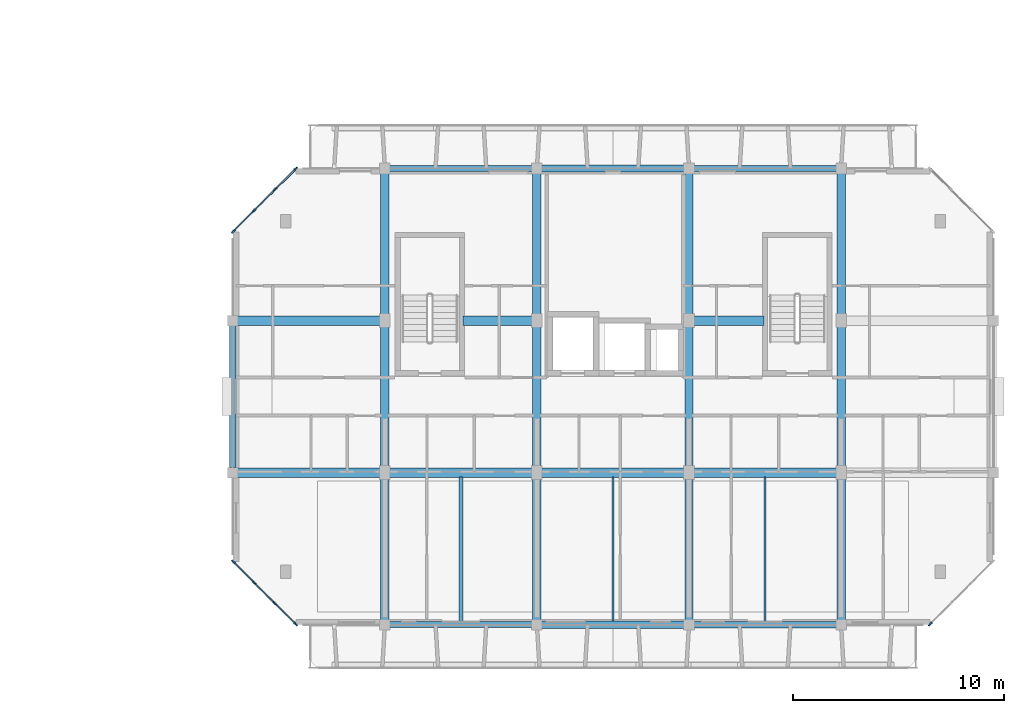
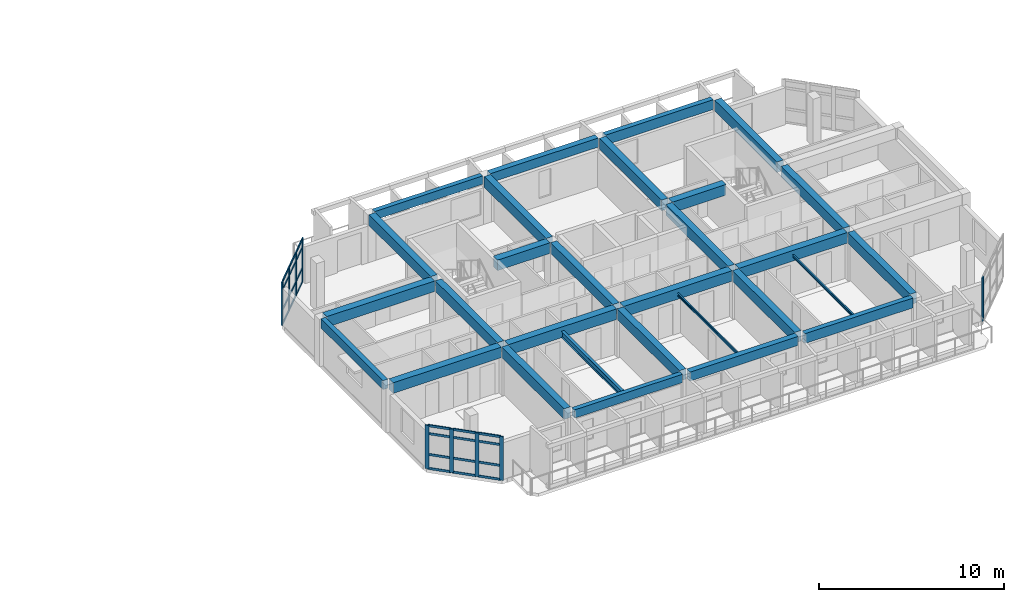
# One storey, part 7 of 44: 33 members, 29 beams, 3 elements without a shape of their own.
"""IFC4 building model written with IfcOpenShell, lengths in metres."""

from ifc_helpers import new_model, si_unit, direction, frame, origin, origin_2d, place, context, subcontext, project, spatial, rectangle, i_section, u_section, extrude, material, layer, layer_set, material_profile, profile_set, type_object, element, aggregate, save


model = new_model("IFC4")

# Units and contexts
model_context = context("Model", 3, precision=1e-05, world=origin(), true_north=direction((0.0, 1.0)))
body_context = subcontext(model_context, "Body", "Model", "MODEL_VIEW")
ifc_project = project(units=[si_unit("LENGTHUNIT", "METRE"), si_unit("AREAUNIT", "SQUARE_METRE"), si_unit("VOLUMEUNIT", "CUBIC_METRE"), si_unit("PLANEANGLEUNIT", "RADIAN"), si_unit("MASSUNIT", "GRAM", prefix="KILO")], contexts=[model_context])

# Site, building, storey
site_placement = place(None, origin())
site = spatial("IfcSite", under=ifc_project, at=site_placement, CompositionType="ELEMENT")
building_placement = place(site_placement, origin())
building = spatial("IfcBuilding", under=site, at=building_placement, Name="Ochrevale Crest", CompositionType="ELEMENT")
storey_placement = place(building_placement, frame((0.0, 0.0, 21.300048828125)))
storey = spatial("IfcBuildingStorey", under=building, at=storey_placement, Name="L06", CompositionType="ELEMENT", Elevation=21.300048828125)

# Beams
ifc_material_1 = material(Name="Precast concrete C50/60", Category="concrete")
ifc_material_profile_1 = material_profile(ifc_material_1, rectangle(XDim=0.39990234375, YDim=0.699951171875, at=origin_2d()), Name="PC 400x700")
ifc_profile_set_1 = profile_set([ifc_material_profile_1], Name="Precast concrete C50/60")
beam_type_1 = type_object("IfcBeamType", Name="BM-PC400x700", PredefinedType="BEAM", material=ifc_profile_set_1)
beam_1_placement = place(storey_placement, frame((136.800048828125, 14.6298828125, 2.800048828125), z_axis=(0.0, 1.0, 0.0), x_axis=(-1.0, 0.0, 0.0)))
element("IfcBeam", 1, at=beam_1_placement, inside=storey, type_object=beam_type_1, Name="Block C L06 N-S beam X=136.8", PredefinedType="BEAM", context=body_context, shape_type="SweptSolid", body=[
    extrude(rectangle(XDim=0.39990234375, YDim=0.699951171875, at=origin_2d()), origin(), (0.0, 0.0, 1.0), 6.740234375),
])
for number, where, z_axis, x_axis, name in (
    (2, (136.800048828125, 21.830078125, 2.800048828125), (0.0, 1.0, 0.0), (-1.0, 0.0, 0.0), "Block C L06 N-S beam X=136.8"),
    (3, (136.800048828125, 29.030029296875, 2.800048828125), (0.0, 1.0, 0.0), (-1.0, 0.0, 0.0), "Block C L06 N-S beam X=136.8"),
):
    element("IfcBeam", number, at=place(storey_placement, frame(where, z_axis=z_axis, x_axis=x_axis)), inside=storey, type_object=beam_type_1, Name=name, PredefinedType="BEAM", context=body_context, shape_type="SweptSolid", body=[
        extrude(rectangle(XDim=0.39990234375, YDim=0.699951171875, at=origin_2d()), origin(), (0.0, 0.0, 1.0), 6.739990234375),
    ])
beam_2_placement = place(storey_placement, frame((144.0, 14.6298828125, 2.800048828125), z_axis=(0.0, 1.0, 0.0), x_axis=(-1.0, 0.0, 0.0)))
element("IfcBeam", 4, at=beam_2_placement, inside=storey, type_object=beam_type_1, Name="Block C L06 N-S beam X=144.0", PredefinedType="BEAM", context=body_context, shape_type="SweptSolid", body=[
    extrude(rectangle(XDim=0.39990234375, YDim=0.699951171875, at=origin_2d()), origin(), (0.0, 0.0, 1.0), 6.740234375),
])
for number, where, z_axis, x_axis, name in (
    (5, (144.0, 21.830078125, 2.800048828125), (0.0, 1.0, 0.0), (-1.0, 0.0, 0.0), "Block C L06 N-S beam X=144.0"),
    (6, (144.0, 29.030029296875, 2.800048828125), (0.0, 1.0, 0.0), (-1.0, 0.0, 0.0), "Block C L06 N-S beam X=144.0"),
):
    element("IfcBeam", number, at=place(storey_placement, frame(where, z_axis=z_axis, x_axis=x_axis)), inside=storey, type_object=beam_type_1, Name=name, PredefinedType="BEAM", context=body_context, shape_type="SweptSolid", body=[
        extrude(rectangle(XDim=0.39990234375, YDim=0.699951171875, at=origin_2d()), origin(), (0.0, 0.0, 1.0), 6.739990234375),
    ])
beam_3_placement = place(storey_placement, frame((151.199951171875, 14.6298828125, 2.800048828125), z_axis=(0.0, 1.0, 0.0), x_axis=(-1.0, 0.0, 0.0)))
element("IfcBeam", 7, at=beam_3_placement, inside=storey, type_object=beam_type_1, Name="Block C L06 N-S beam X=151.2", PredefinedType="BEAM", context=body_context, shape_type="SweptSolid", body=[
    extrude(rectangle(XDim=0.39990234375, YDim=0.699951171875, at=origin_2d()), origin(), (0.0, 0.0, 1.0), 6.740234375),
])
for number, where, z_axis, x_axis, name in (
    (8, (151.199951171875, 21.830078125, 2.800048828125), (0.0, 1.0, 0.0), (-1.0, 0.0, 0.0), "Block C L06 N-S beam X=151.2"),
    (9, (151.199951171875, 29.030029296875, 2.800048828125), (0.0, 1.0, 0.0), (-1.0, 0.0, 0.0), "Block C L06 N-S beam X=151.2"),
):
    element("IfcBeam", number, at=place(storey_placement, frame(where, z_axis=z_axis, x_axis=x_axis)), inside=storey, type_object=beam_type_1, Name=name, PredefinedType="BEAM", context=body_context, shape_type="SweptSolid", body=[
        extrude(rectangle(XDim=0.39990234375, YDim=0.699951171875, at=origin_2d()), origin(), (0.0, 0.0, 1.0), 6.739990234375),
    ])
beam_4_placement = place(storey_placement, frame((158.39990234375, 14.6298828125, 2.800048828125), z_axis=(0.0, 1.0, 0.0), x_axis=(-1.0, 0.0, 0.0)))
element("IfcBeam", 10, at=beam_4_placement, inside=storey, type_object=beam_type_1, Name="Block C L06 N-S beam X=158.4", PredefinedType="BEAM", context=body_context, shape_type="SweptSolid", body=[
    extrude(rectangle(XDim=0.39990234375, YDim=0.699951171875, at=origin_2d()), origin(), (0.0, 0.0, 1.0), 6.740234375),
])
for number, where, z_axis, x_axis, name in (
    (11, (158.39990234375, 21.830078125, 2.800048828125), (0.0, 1.0, 0.0), (-1.0, 0.0, 0.0), "Block C L06 N-S beam X=158.4"),
    (12, (158.39990234375, 29.030029296875, 2.800048828125), (0.0, 1.0, 0.0), (-1.0, 0.0, 0.0), "Block C L06 N-S beam X=158.4"),
):
    element("IfcBeam", number, at=place(storey_placement, frame(where, z_axis=z_axis, x_axis=x_axis)), inside=storey, type_object=beam_type_1, Name=name, PredefinedType="BEAM", context=body_context, shape_type="SweptSolid", body=[
        extrude(rectangle(XDim=0.39990234375, YDim=0.699951171875, at=origin_2d()), origin(), (0.0, 0.0, 1.0), 6.739990234375),
    ])
ifc_material_2 = material(Name="Steel S355", Category="steel")
ifc_material_profile_2 = material_profile(ifc_material_2, u_section(Depth=0.199951171875, FlangeWidth=0.074951171875, WebThickness=0.006103515625, FlangeThickness=0.011962890625, FilletRadius=0.011962890625, at=origin_2d()), Name="200PFC")
ifc_profile_set_2 = profile_set([ifc_material_profile_2], Name="Steel S355")
beam_type_2 = type_object("IfcBeamType", Name="BM-PFC200", PredefinedType="JOIST", material=ifc_profile_set_2)
beam_5_placement = place(storey_placement, frame((147.60009765625, 14.56298828125, 2.77490234375), z_axis=(0.0, 1.0, 0.0), x_axis=(-1.0, 0.0, 0.0)))
element("IfcBeam", 13, at=beam_5_placement, inside=storey, type_object=beam_type_2, Name="Block C L06 composite plank trimmer beam 3", PredefinedType="JOIST", context=body_context, shape_type="SweptSolid", body=[
    extrude(u_section(Depth=0.199951171875, FlangeWidth=0.074951171875, WebThickness=0.006103515625, FlangeThickness=0.011962890625, FilletRadius=0.011962890625, at=origin_2d()), origin(), (0.0, 0.0, 1.0), 6.823974609375),
])
ifc_material_3 = material(Name="Concrete C50/60", Category="concrete")
ifc_material_profile_3 = material_profile(ifc_material_3, rectangle(XDim=0.449951171875, YDim=0.699951171875, at=origin_2d()), Name="RC 450x700")
ifc_profile_set_3 = profile_set([ifc_material_profile_3], Name="Concrete C50/60")
beam_type_3 = type_object("IfcBeamType", Name="BM-PG450x700", PredefinedType="USERDEFINED", material=ifc_profile_set_3)
for number, where, z_axis, x_axis, name in (
    (14, (129.824951171875, 21.60009765625, 2.800048828125), (1.0, 0.0, 0.0), (0.0, 1.0, 0.0), "Block C L06 E-W beam Y=21.6"),
    (15, (137.02490234375, 21.60009765625, 2.800048828125), (1.0, 0.0, 0.0), (0.0, 1.0, 0.0), "Block C L06 E-W beam Y=21.6"),
    (16, (144.22509765625, 21.60009765625, 2.800048828125), (1.0, 0.0, 0.0), (0.0, 1.0, 0.0), "Block C L06 E-W beam Y=21.6"),
    (17, (151.425048828125, 21.60009765625, 2.800048828125), (1.0, 0.0, 0.0), (0.0, 1.0, 0.0), "Block C L06 E-W beam Y=21.6"),
    (18, (129.824951171875, 28.800048828125, 2.800048828125), (1.0, 0.0, 0.0), (0.0, 1.0, 0.0), "Block C L06 E-W beam Y=28.8"),
):
    element("IfcBeam", number, at=place(storey_placement, frame(where, z_axis=z_axis, x_axis=x_axis)), inside=storey, type_object=beam_type_3, Name=name, ObjectType="GIRDER", PredefinedType="USERDEFINED", context=body_context, shape_type="SweptSolid", body=[
        extrude(rectangle(XDim=0.449951171875, YDim=0.699951171875, at=origin_2d()), origin(), (0.0, 0.0, 1.0), 6.75),
    ])
beam_6_placement = place(storey_placement, frame((140.489990234375, 28.800048828125, 2.800048828125), z_axis=(1.0, 0.0, 0.0), x_axis=(0.0, 1.0, 0.0)))
element("IfcBeam", 19, at=beam_6_placement, inside=storey, type_object=beam_type_3, Name="Block C L06 E-W beam Y=28.8", ObjectType="GIRDER", PredefinedType="USERDEFINED", context=body_context, shape_type="SweptSolid", body=[
    extrude(rectangle(XDim=0.449951171875, YDim=0.699951171875, at=origin_2d()), origin(), (0.0, 0.0, 1.0), 3.284912109375),
])
beam_7_placement = place(storey_placement, frame((151.425048828125, 28.800048828125, 2.800048828125), z_axis=(1.0, 0.0, 0.0), x_axis=(0.0, 1.0, 0.0)))
element("IfcBeam", 20, at=beam_7_placement, inside=storey, type_object=beam_type_3, Name="Block C L06 E-W beam Y=28.8", ObjectType="GIRDER", PredefinedType="USERDEFINED", context=body_context, shape_type="SweptSolid", body=[
    extrude(rectangle(XDim=0.449951171875, YDim=0.699951171875, at=origin_2d()), origin(), (0.0, 0.0, 1.0), 3.3349609375),
])
ifc_material_4 = material(Name="Precast concrete C40/50", Category="concrete")
ifc_material_profile_4 = material_profile(ifc_material_4, rectangle(XDim=0.280029296875, YDim=0.550048828125, at=origin_2d()), Name="PC 280x550")
ifc_profile_set_4 = profile_set([ifc_material_profile_4], Name="Precast concrete C40/50")
beam_type_4 = type_object("IfcBeamType", Name="BM-SP280x550", PredefinedType="SPANDREL", material=ifc_profile_set_4)
for number, where, z_axis, x_axis, name in (
    (21, (137.02490234375, 14.39990234375, 2.875), (1.0, 0.0, 0.0), (0.0, 1.0, 0.0), "Block C L06 E-W beam Y=14.4"),
    (22, (137.02490234375, 36.0, 2.875), (1.0, 0.0, 0.0), (0.0, 1.0, 0.0), "Block C L06 E-W beam Y=36.0"),
):
    element("IfcBeam", number, at=place(storey_placement, frame(where, z_axis=z_axis, x_axis=x_axis)), inside=storey, type_object=beam_type_4, Name=name, PredefinedType="SPANDREL", context=body_context, shape_type="SweptSolid", body=[
        extrude(rectangle(XDim=0.280029296875, YDim=0.550048828125, at=origin_2d()), origin(), (0.0, 0.0, 1.0), 6.75),
    ])
ifc_material_profile_5 = material_profile(ifc_material_4, rectangle(XDim=0.300048828125, YDim=0.60009765625, at=origin_2d()), Name="PC 300x600")
ifc_profile_set_5 = profile_set([ifc_material_profile_5], Name="Precast concrete C40/50")
beam_type_5 = type_object("IfcBeamType", Name="BM-SP300x600", PredefinedType="SPANDREL", material=ifc_profile_set_5)
beam_8_placement = place(storey_placement, frame((129.60009765625, 21.830078125, 2.849853515625), z_axis=(0.0, 1.0, 0.0), x_axis=(-1.0, 0.0, 0.0)))
element("IfcBeam", 23, at=beam_8_placement, inside=storey, type_object=beam_type_5, Name="Block C L06 N-S beam X=129.6", PredefinedType="SPANDREL", context=body_context, shape_type="SweptSolid", body=[
    extrude(rectangle(XDim=0.300048828125, YDim=0.60009765625, at=origin_2d()), origin(), (0.0, 0.0, 1.0), 6.739990234375),
])
ifc_material_profile_6 = material_profile(ifc_material_4, rectangle(XDim=0.300048828125, YDim=0.64990234375, at=origin_2d()), Name="PC 300x650")
ifc_profile_set_6 = profile_set([ifc_material_profile_6], Name="Precast concrete C40/50")
beam_type_6 = type_object("IfcBeamType", Name="BM-SP300x650", PredefinedType="SPANDREL", material=ifc_profile_set_6)
for number, where, z_axis, x_axis, name in (
    (24, (151.425048828125, 14.39990234375, 2.824951171875), (1.0, 0.0, 0.0), (0.0, 1.0, 0.0), "Block C L06 E-W beam Y=14.4"),
    (25, (151.425048828125, 36.0, 2.824951171875), (1.0, 0.0, 0.0), (0.0, 1.0, 0.0), "Block C L06 E-W beam Y=36.0"),
):
    element("IfcBeam", number, at=place(storey_placement, frame(where, z_axis=z_axis, x_axis=x_axis)), inside=storey, type_object=beam_type_6, Name=name, PredefinedType="SPANDREL", context=body_context, shape_type="SweptSolid", body=[
        extrude(rectangle(XDim=0.300048828125, YDim=0.64990234375, at=origin_2d()), origin(), (0.0, 0.0, 1.0), 6.75),
    ])
ifc_material_profile_7 = material_profile(ifc_material_4, rectangle(XDim=0.35009765625, YDim=0.60009765625, at=origin_2d()), Name="PC 350x600")
ifc_profile_set_7 = profile_set([ifc_material_profile_7], Name="Precast concrete C40/50")
beam_type_7 = type_object("IfcBeamType", Name="BM-SP350x600", PredefinedType="SPANDREL", material=ifc_profile_set_7)
for number, where, z_axis, x_axis, name in (
    (26, (144.22509765625, 14.39990234375, 2.849853515625), (1.0, 0.0, 0.0), (0.0, 1.0, 0.0), "Block C L06 E-W beam Y=14.4"),
    (27, (144.22509765625, 36.0, 2.849853515625), (1.0, 0.0, 0.0), (0.0, 1.0, 0.0), "Block C L06 E-W beam Y=36.0"),
):
    element("IfcBeam", number, at=place(storey_placement, frame(where, z_axis=z_axis, x_axis=x_axis)), inside=storey, type_object=beam_type_7, Name=name, PredefinedType="SPANDREL", context=body_context, shape_type="SweptSolid", body=[
        extrude(rectangle(XDim=0.35009765625, YDim=0.60009765625, at=origin_2d()), origin(), (0.0, 0.0, 1.0), 6.75),
    ])
ifc_material_profile_8 = material_profile(ifc_material_2, i_section(OverallWidth=0.090087890625, OverallDepth=0.1787109375, WebThickness=0.006103515625, FlangeThickness=0.010009765625, FilletRadius=0.0087890625, at=origin_2d()), Name="180UB22.2")
ifc_profile_set_8 = profile_set([ifc_material_profile_8], Name="Steel S355")
beam_type_8 = type_object("IfcBeamType", Name="BM-UB180", PredefinedType="JOIST", material=ifc_profile_set_8)
beam_9_placement = place(storey_placement, frame((154.800048828125, 14.5380859375, 2.78564453125), z_axis=(0.0, 1.0, 0.0), x_axis=(-1.0, 0.0, 0.0)))
element("IfcBeam", 28, at=beam_9_placement, inside=storey, type_object=beam_type_8, Name="Block C L06 composite plank trimmer beam 4", PredefinedType="JOIST", context=body_context, shape_type="SweptSolid", body=[
    extrude(i_section(OverallWidth=0.090087890625, OverallDepth=0.1787109375, WebThickness=0.006103515625, FlangeThickness=0.010009765625, FilletRadius=0.0087890625, at=origin_2d()), origin(), (0.0, 0.0, 1.0), 6.848876953125),
])
ifc_material_profile_9 = material_profile(ifc_material_2, i_section(OverallWidth=0.177734375, OverallDepth=0.402587890625, WebThickness=0.007568359375, FlangeThickness=0.010986328125, FilletRadius=0.011474609375, at=origin_2d()), Name="410UB53.7")
ifc_profile_set_9 = profile_set([ifc_material_profile_9], Name="Steel S355")
beam_type_9 = type_object("IfcBeamType", Name="BM-UB410A", PredefinedType="BEAM", material=ifc_profile_set_9)
beam_10_placement = place(storey_placement, frame((140.39990234375, 14.528076171875, 2.673583984375), z_axis=(0.0, 1.0, 0.0), x_axis=(-1.0, 0.0, 0.0)))
element("IfcBeam", 29, at=beam_10_placement, inside=storey, type_object=beam_type_9, Name="Block C L06 composite plank trimmer beam 2", PredefinedType="BEAM", context=body_context, shape_type="SweptSolid", body=[
    extrude(i_section(OverallWidth=0.177734375, OverallDepth=0.402587890625, WebThickness=0.007568359375, FlangeThickness=0.010986328125, FilletRadius=0.011474609375, at=origin_2d()), origin(), (0.0, 0.0, 1.0), 6.85888671875),
])

# Curtain wall, member
ifc_material_5 = material(Name="Anodised aluminium 6063-T5", Category="aluminium")
ifc_layer_1 = layer(ifc_material_5, 0.14990234375)
ifc_layer_set_1 = layer_set([ifc_layer_1], Name="Anodised aluminium 6063-T5")
curtain_wall_type_1 = type_object("IfcCurtainWallType", Name="CW-WG-360x285", PredefinedType="NOTDEFINED", material=ifc_layer_set_1)
curtain_wall_1_placement = place(storey_placement, origin())
curtain_wall_1 = element("IfcCurtainWall", 30, at=curtain_wall_1_placement, inside=storey, type_object=curtain_wall_type_1, Name="Block C L06 chamfered corner wintergarden curtain wall 2", PredefinedType="NOTDEFINED")
ifc_material_profile_10 = material_profile(ifc_material_5, rectangle(XDim=0.074951171875, YDim=0.219970703125, at=origin_2d()), Name="ALU 75x220")
ifc_profile_set_10 = profile_set([ifc_material_profile_10], Name="Anodised aluminium 6063-T5")
member_type_1 = type_object("IfcMemberType", Name="CW-MUL-75x220", PredefinedType="MULLION", material=ifc_profile_set_10)
member_1_placement = place(storey_placement, frame((162.62646484375, 14.426513671875, 0.0), z_axis=(0.0, 0.0, 1.0), x_axis=(-0.707106781187, 0.707106781187, 0.0)))
member_1 = element("IfcMember", 31, at=member_1_placement, type_object=member_type_1, Name="CW18 mullion 1", PredefinedType="MULLION", context=body_context, shape_type="SweptSolid", body=[
    extrude(rectangle(XDim=0.074951171875, YDim=0.219970703125, at=origin_2d()), origin(), (0.0, 0.0, 1.0), 2.875),
])
aggregate(curtain_wall_1, [member_1])

# Curtain wall, members
ifc_layer_2 = layer(ifc_material_5, 0.14990234375)
ifc_layer_set_2 = layer_set([ifc_layer_2], Name="Anodised aluminium 6063-T5")
curtain_wall_type_2 = type_object("IfcCurtainWallType", Name="CW-WG-320x285", PredefinedType="NOTDEFINED", material=ifc_layer_set_2)
curtain_wall_2_placement = place(storey_placement, origin())
curtain_wall_2 = element("IfcCurtainWall", 32, at=curtain_wall_2_placement, inside=storey, type_object=curtain_wall_type_2, Name="Block C L06 chamfered corner wintergarden curtain wall 6", PredefinedType="NOTDEFINED")
member_2_placement = place(storey_placement, frame((132.573486328125, 35.973388671875, 0.0), z_axis=(0.0, 0.0, 1.0), x_axis=(0.707106781187, -0.707106781187, 0.0)))
member_2 = element("IfcMember", 33, at=member_2_placement, type_object=member_type_1, Name="CW17 mullion 1", PredefinedType="MULLION", context=body_context, shape_type="SweptSolid", body=[
    extrude(rectangle(XDim=0.074951171875, YDim=0.219970703125, at=origin_2d()), origin(), (0.0, 0.0, 1.0), 2.875),
])
member_3_placement = place(storey_placement, frame((131.60009765625, 35.0, 0.0), z_axis=(0.0, 0.0, 1.0), x_axis=(0.707106781187, -0.707106781187, 0.0)))
member_3 = element("IfcMember", 34, at=member_3_placement, type_object=member_type_1, Name="CW17 mullion 2", PredefinedType="MULLION", context=body_context, shape_type="SweptSolid", body=[
    extrude(rectangle(XDim=0.074951171875, YDim=0.219970703125, at=origin_2d()), origin(), (0.0, 0.0, 1.0), 2.875),
])
member_4_placement = place(storey_placement, frame((130.60009765625, 34.0, 0.0), z_axis=(0.0, 0.0, 1.0), x_axis=(0.707106781187, -0.707106781187, 0.0)))
member_4 = element("IfcMember", 35, at=member_4_placement, type_object=member_type_1, Name="CW17 mullion 3", PredefinedType="MULLION", context=body_context, shape_type="SweptSolid", body=[
    extrude(rectangle(XDim=0.074951171875, YDim=0.219970703125, at=origin_2d()), origin(), (0.0, 0.0, 1.0), 2.875),
])
member_5_placement = place(storey_placement, frame((129.62646484375, 33.026611328125, 0.0), z_axis=(0.0, 0.0, 1.0), x_axis=(0.707106781187, -0.707106781187, 0.0)))
member_5 = element("IfcMember", 36, at=member_5_placement, type_object=member_type_1, Name="CW17 mullion 4", PredefinedType="MULLION", context=body_context, shape_type="SweptSolid", body=[
    extrude(rectangle(XDim=0.074951171875, YDim=0.219970703125, at=origin_2d()), origin(), (0.0, 0.0, 1.0), 2.875),
])

ifc_layer_3 = layer(ifc_material_5, 0.14990234375)
ifc_layer_set_3 = layer_set([ifc_layer_3], Name="Anodised aluminium 6063-T5")
curtain_wall_type_3 = type_object("IfcCurtainWallType", Name="CW-WG-420x285", PredefinedType="NOTDEFINED", material=ifc_layer_set_3)
curtain_wall_3_placement = place(storey_placement, origin())
curtain_wall_3 = element("IfcCurtainWall", 37, at=curtain_wall_3_placement, inside=storey, type_object=curtain_wall_type_3, Name="Block C L06 chamfered corner wintergarden curtain wall 8", PredefinedType="NOTDEFINED")
member_6_placement = place(storey_placement, frame((129.62646484375, 17.37353515625, 0.0), z_axis=(0.0, 0.0, 1.0), x_axis=(0.707106781187, 0.707106781187, 0.0)))
member_6 = element("IfcMember", 38, at=member_6_placement, type_object=member_type_1, Name="CW22 mullion 1", PredefinedType="MULLION", context=body_context, shape_type="SweptSolid", body=[
    extrude(rectangle(XDim=0.074951171875, YDim=0.219970703125, at=origin_2d()), origin(), (0.0, 0.0, 1.0), 2.875),
])
member_7_placement = place(storey_placement, frame((130.60009765625, 16.39990234375, 0.0), z_axis=(0.0, 0.0, 1.0), x_axis=(0.707106781187, 0.707106781187, 0.0)))
member_7 = element("IfcMember", 39, at=member_7_placement, type_object=member_type_1, Name="CW22 mullion 2", PredefinedType="MULLION", context=body_context, shape_type="SweptSolid", body=[
    extrude(rectangle(XDim=0.074951171875, YDim=0.219970703125, at=origin_2d()), origin(), (0.0, 0.0, 1.0), 2.875),
])
member_8_placement = place(storey_placement, frame((131.60009765625, 15.39990234375, 0.0), z_axis=(0.0, 0.0, 1.0), x_axis=(0.707106781187, 0.707106781187, 0.0)))
member_8 = element("IfcMember", 40, at=member_8_placement, type_object=member_type_1, Name="CW22 mullion 3", PredefinedType="MULLION", context=body_context, shape_type="SweptSolid", body=[
    extrude(rectangle(XDim=0.074951171875, YDim=0.219970703125, at=origin_2d()), origin(), (0.0, 0.0, 1.0), 2.875),
])
member_9_placement = place(storey_placement, frame((132.573486328125, 14.426513671875, 0.0), z_axis=(0.0, 0.0, 1.0), x_axis=(0.707106781187, 0.707106781187, 0.0)))
member_9 = element("IfcMember", 41, at=member_9_placement, type_object=member_type_1, Name="CW22 mullion 4", PredefinedType="MULLION", context=body_context, shape_type="SweptSolid", body=[
    extrude(rectangle(XDim=0.074951171875, YDim=0.219970703125, at=origin_2d()), origin(), (0.0, 0.0, 1.0), 2.875),
])

# Member
ifc_material_profile_11 = material_profile(ifc_material_5, rectangle(XDim=0.06005859375, YDim=0.14990234375, at=origin_2d()), Name="ALU 60x150")
ifc_profile_set_11 = profile_set([ifc_material_profile_11], Name="Anodised aluminium 6063-T5")
member_type_2 = type_object("IfcMemberType", Name="CW-TRN-60x150", PredefinedType="USERDEFINED", material=ifc_profile_set_11)
member_10_placement = place(storey_placement, frame((132.546875, 35.947021484375, 0.030029296875), z_axis=(-0.707106781187, -0.707106781187, 0.0), x_axis=(0.707106781187, -0.707106781187, 0.0)))
member_10 = element("IfcMember", 42, at=member_10_placement, type_object=member_type_2, Name="CW17 transom 1.1", ObjectType="TRANSOM", PredefinedType="USERDEFINED", context=body_context, shape_type="SweptSolid", body=[
    extrude(rectangle(XDim=0.06005859375, YDim=0.14990234375, at=origin_2d()), origin(), (0.0, 0.0, 1.0), 1.3017578125),
])

member_11_placement = place(storey_placement, frame((132.546875, 35.947021484375, 0.949951171875), z_axis=(-0.707106781187, -0.707106781187, 0.0), x_axis=(0.707106781187, -0.707106781187, 0.0)))
member_11 = element("IfcMember", 43, at=member_11_placement, type_object=member_type_2, Name="CW17 transom 1.2", ObjectType="TRANSOM", PredefinedType="USERDEFINED", context=body_context, shape_type="SweptSolid", body=[
    extrude(rectangle(XDim=0.06005859375, YDim=0.14990234375, at=origin_2d()), origin(), (0.0, 0.0, 1.0), 1.3017578125),
])

member_12_placement = place(storey_placement, frame((132.546875, 35.947021484375, 2.324951171875), z_axis=(-0.707106781187, -0.707106781187, 0.0), x_axis=(0.707106781187, -0.707106781187, 0.0)))
member_12 = element("IfcMember", 44, at=member_12_placement, type_object=member_type_2, Name="CW17 transom 1.3", ObjectType="TRANSOM", PredefinedType="USERDEFINED", context=body_context, shape_type="SweptSolid", body=[
    extrude(rectangle(XDim=0.06005859375, YDim=0.14990234375, at=origin_2d()), origin(), (0.0, 0.0, 1.0), 1.3017578125),
])

member_13_placement = place(storey_placement, frame((132.546875, 35.947021484375, 2.844970703125), z_axis=(-0.707106781187, -0.707106781187, 0.0), x_axis=(0.707106781187, -0.707106781187, 0.0)))
member_13 = element("IfcMember", 45, at=member_13_placement, type_object=member_type_2, Name="CW17 transom 1.4", ObjectType="TRANSOM", PredefinedType="USERDEFINED", context=body_context, shape_type="SweptSolid", body=[
    extrude(rectangle(XDim=0.06005859375, YDim=0.14990234375, at=origin_2d()), origin(), (0.0, 0.0, 1.0), 1.3017578125),
])

member_14_placement = place(storey_placement, frame((131.573486328125, 34.973388671875, 0.030029296875), z_axis=(-0.707197932559, -0.707015618062, 0.0), x_axis=(0.707015618062, -0.707197932559, 0.0)))
member_14 = element("IfcMember", 46, at=member_14_placement, type_object=member_type_2, Name="CW17 transom 2.1", ObjectType="TRANSOM", PredefinedType="USERDEFINED", context=body_context, shape_type="SweptSolid", body=[
    extrude(rectangle(XDim=0.06005859375, YDim=0.14990234375, at=origin_2d()), origin(), (0.0, 0.0, 1.0), 1.339111328125),
])

member_15_placement = place(storey_placement, frame((131.573486328125, 34.973388671875, 0.949951171875), z_axis=(-0.707197932559, -0.707015618062, 0.0), x_axis=(0.707015618062, -0.707197932559, 0.0)))
member_15 = element("IfcMember", 47, at=member_15_placement, type_object=member_type_2, Name="CW17 transom 2.2", ObjectType="TRANSOM", PredefinedType="USERDEFINED", context=body_context, shape_type="SweptSolid", body=[
    extrude(rectangle(XDim=0.06005859375, YDim=0.14990234375, at=origin_2d()), origin(), (0.0, 0.0, 1.0), 1.339111328125),
])

member_16_placement = place(storey_placement, frame((131.573486328125, 34.973388671875, 2.324951171875), z_axis=(-0.707197932559, -0.707015618062, 0.0), x_axis=(0.707015618062, -0.707197932559, 0.0)))
member_16 = element("IfcMember", 48, at=member_16_placement, type_object=member_type_2, Name="CW17 transom 2.3", ObjectType="TRANSOM", PredefinedType="USERDEFINED", context=body_context, shape_type="SweptSolid", body=[
    extrude(rectangle(XDim=0.06005859375, YDim=0.14990234375, at=origin_2d()), origin(), (0.0, 0.0, 1.0), 1.339111328125),
])

member_17_placement = place(storey_placement, frame((131.573486328125, 34.973388671875, 2.844970703125), z_axis=(-0.707197932559, -0.707015618062, 0.0), x_axis=(0.707015618062, -0.707197932559, 0.0)))
member_17 = element("IfcMember", 49, at=member_17_placement, type_object=member_type_2, Name="CW17 transom 2.4", ObjectType="TRANSOM", PredefinedType="USERDEFINED", context=body_context, shape_type="SweptSolid", body=[
    extrude(rectangle(XDim=0.06005859375, YDim=0.14990234375, at=origin_2d()), origin(), (0.0, 0.0, 1.0), 1.339111328125),
])

member_18_placement = place(storey_placement, frame((130.573486328125, 33.973388671875, 0.030029296875), z_axis=(-0.707106781187, -0.707106781187, 0.0), x_axis=(0.707106781187, -0.707106781187, 0.0)))
member_18 = element("IfcMember", 50, at=member_18_placement, type_object=member_type_2, Name="CW17 transom 3.1", ObjectType="TRANSOM", PredefinedType="USERDEFINED", context=body_context, shape_type="SweptSolid", body=[
    extrude(rectangle(XDim=0.06005859375, YDim=0.14990234375, at=origin_2d()), origin(), (0.0, 0.0, 1.0), 1.3017578125),
])

member_19_placement = place(storey_placement, frame((130.573486328125, 33.973388671875, 0.949951171875), z_axis=(-0.707106781187, -0.707106781187, 0.0), x_axis=(0.707106781187, -0.707106781187, 0.0)))
member_19 = element("IfcMember", 51, at=member_19_placement, type_object=member_type_2, Name="CW17 transom 3.2", ObjectType="TRANSOM", PredefinedType="USERDEFINED", context=body_context, shape_type="SweptSolid", body=[
    extrude(rectangle(XDim=0.06005859375, YDim=0.14990234375, at=origin_2d()), origin(), (0.0, 0.0, 1.0), 1.3017578125),
])

member_20_placement = place(storey_placement, frame((130.573486328125, 33.973388671875, 2.324951171875), z_axis=(-0.707106781187, -0.707106781187, 0.0), x_axis=(0.707106781187, -0.707106781187, 0.0)))
member_20 = element("IfcMember", 52, at=member_20_placement, type_object=member_type_2, Name="CW17 transom 3.3", ObjectType="TRANSOM", PredefinedType="USERDEFINED", context=body_context, shape_type="SweptSolid", body=[
    extrude(rectangle(XDim=0.06005859375, YDim=0.14990234375, at=origin_2d()), origin(), (0.0, 0.0, 1.0), 1.3017578125),
])

member_21_placement = place(storey_placement, frame((130.573486328125, 33.973388671875, 2.844970703125), z_axis=(-0.707106781187, -0.707106781187, 0.0), x_axis=(0.707106781187, -0.707106781187, 0.0)))
member_21 = element("IfcMember", 53, at=member_21_placement, type_object=member_type_2, Name="CW17 transom 3.4", ObjectType="TRANSOM", PredefinedType="USERDEFINED", context=body_context, shape_type="SweptSolid", body=[
    extrude(rectangle(XDim=0.06005859375, YDim=0.14990234375, at=origin_2d()), origin(), (0.0, 0.0, 1.0), 1.3017578125),
])

aggregate(curtain_wall_2, [member_2, member_3, member_4, member_5, member_10, member_11, member_12, member_13, member_14, member_15, member_16, member_17, member_18, member_19, member_20, member_21])

member_22_placement = place(storey_placement, frame((129.653076171875, 17.346923828125, 0.030029296875), z_axis=(0.707106781187, -0.707106781187, 0.0), x_axis=(0.707106781187, 0.707106781187, 0.0)))
member_22 = element("IfcMember", 54, at=member_22_placement, type_object=member_type_2, Name="CW22 transom 1.1", ObjectType="TRANSOM", PredefinedType="USERDEFINED", context=body_context, shape_type="SweptSolid", body=[
    extrude(rectangle(XDim=0.06005859375, YDim=0.14990234375, at=origin_2d()), origin(), (0.0, 0.0, 1.0), 1.3017578125),
])

member_23_placement = place(storey_placement, frame((129.653076171875, 17.346923828125, 0.949951171875), z_axis=(0.707106781187, -0.707106781187, 0.0), x_axis=(0.707106781187, 0.707106781187, 0.0)))
member_23 = element("IfcMember", 55, at=member_23_placement, type_object=member_type_2, Name="CW22 transom 1.2", ObjectType="TRANSOM", PredefinedType="USERDEFINED", context=body_context, shape_type="SweptSolid", body=[
    extrude(rectangle(XDim=0.06005859375, YDim=0.14990234375, at=origin_2d()), origin(), (0.0, 0.0, 1.0), 1.3017578125),
])

member_24_placement = place(storey_placement, frame((129.653076171875, 17.346923828125, 2.324951171875), z_axis=(0.707106781187, -0.707106781187, 0.0), x_axis=(0.707106781187, 0.707106781187, 0.0)))
member_24 = element("IfcMember", 56, at=member_24_placement, type_object=member_type_2, Name="CW22 transom 1.3", ObjectType="TRANSOM", PredefinedType="USERDEFINED", context=body_context, shape_type="SweptSolid", body=[
    extrude(rectangle(XDim=0.06005859375, YDim=0.14990234375, at=origin_2d()), origin(), (0.0, 0.0, 1.0), 1.3017578125),
])

member_25_placement = place(storey_placement, frame((129.653076171875, 17.346923828125, 2.844970703125), z_axis=(0.707106781187, -0.707106781187, 0.0), x_axis=(0.707106781187, 0.707106781187, 0.0)))
member_25 = element("IfcMember", 57, at=member_25_placement, type_object=member_type_2, Name="CW22 transom 1.4", ObjectType="TRANSOM", PredefinedType="USERDEFINED", context=body_context, shape_type="SweptSolid", body=[
    extrude(rectangle(XDim=0.06005859375, YDim=0.14990234375, at=origin_2d()), origin(), (0.0, 0.0, 1.0), 1.3017578125),
])

member_26_placement = place(storey_placement, frame((130.62646484375, 16.37353515625, 0.030029296875), z_axis=(0.707106781187, -0.707106781187, 0.0), x_axis=(0.707106781187, 0.707106781187, 0.0)))
member_26 = element("IfcMember", 58, at=member_26_placement, type_object=member_type_2, Name="CW22 transom 2.1", ObjectType="TRANSOM", PredefinedType="USERDEFINED", context=body_context, shape_type="SweptSolid", body=[
    extrude(rectangle(XDim=0.06005859375, YDim=0.14990234375, at=origin_2d()), origin(), (0.0, 0.0, 1.0), 1.33935546875),
])

member_27_placement = place(storey_placement, frame((130.62646484375, 16.37353515625, 0.949951171875), z_axis=(0.707106781187, -0.707106781187, 0.0), x_axis=(0.707106781187, 0.707106781187, 0.0)))
member_27 = element("IfcMember", 59, at=member_27_placement, type_object=member_type_2, Name="CW22 transom 2.2", ObjectType="TRANSOM", PredefinedType="USERDEFINED", context=body_context, shape_type="SweptSolid", body=[
    extrude(rectangle(XDim=0.06005859375, YDim=0.14990234375, at=origin_2d()), origin(), (0.0, 0.0, 1.0), 1.33935546875),
])

member_28_placement = place(storey_placement, frame((130.62646484375, 16.37353515625, 2.324951171875), z_axis=(0.707106781187, -0.707106781187, 0.0), x_axis=(0.707106781187, 0.707106781187, 0.0)))
member_28 = element("IfcMember", 60, at=member_28_placement, type_object=member_type_2, Name="CW22 transom 2.3", ObjectType="TRANSOM", PredefinedType="USERDEFINED", context=body_context, shape_type="SweptSolid", body=[
    extrude(rectangle(XDim=0.06005859375, YDim=0.14990234375, at=origin_2d()), origin(), (0.0, 0.0, 1.0), 1.33935546875),
])

member_29_placement = place(storey_placement, frame((130.62646484375, 16.37353515625, 2.844970703125), z_axis=(0.707106781187, -0.707106781187, 0.0), x_axis=(0.707106781187, 0.707106781187, 0.0)))
member_29 = element("IfcMember", 61, at=member_29_placement, type_object=member_type_2, Name="CW22 transom 2.4", ObjectType="TRANSOM", PredefinedType="USERDEFINED", context=body_context, shape_type="SweptSolid", body=[
    extrude(rectangle(XDim=0.06005859375, YDim=0.14990234375, at=origin_2d()), origin(), (0.0, 0.0, 1.0), 1.33935546875),
])

member_30_placement = place(storey_placement, frame((131.62646484375, 15.37353515625, 0.030029296875), z_axis=(0.707106781187, -0.707106781187, 0.0), x_axis=(0.707106781187, 0.707106781187, 0.0)))
member_30 = element("IfcMember", 62, at=member_30_placement, type_object=member_type_2, Name="CW22 transom 3.1", ObjectType="TRANSOM", PredefinedType="USERDEFINED", context=body_context, shape_type="SweptSolid", body=[
    extrude(rectangle(XDim=0.06005859375, YDim=0.14990234375, at=origin_2d()), origin(), (0.0, 0.0, 1.0), 1.3017578125),
])

member_31_placement = place(storey_placement, frame((131.62646484375, 15.37353515625, 0.949951171875), z_axis=(0.707106781187, -0.707106781187, 0.0), x_axis=(0.707106781187, 0.707106781187, 0.0)))
member_31 = element("IfcMember", 63, at=member_31_placement, type_object=member_type_2, Name="CW22 transom 3.2", ObjectType="TRANSOM", PredefinedType="USERDEFINED", context=body_context, shape_type="SweptSolid", body=[
    extrude(rectangle(XDim=0.06005859375, YDim=0.14990234375, at=origin_2d()), origin(), (0.0, 0.0, 1.0), 1.3017578125),
])

member_32_placement = place(storey_placement, frame((131.62646484375, 15.37353515625, 2.324951171875), z_axis=(0.707106781187, -0.707106781187, 0.0), x_axis=(0.707106781187, 0.707106781187, 0.0)))
member_32 = element("IfcMember", 64, at=member_32_placement, type_object=member_type_2, Name="CW22 transom 3.3", ObjectType="TRANSOM", PredefinedType="USERDEFINED", context=body_context, shape_type="SweptSolid", body=[
    extrude(rectangle(XDim=0.06005859375, YDim=0.14990234375, at=origin_2d()), origin(), (0.0, 0.0, 1.0), 1.3017578125),
])

member_33_placement = place(storey_placement, frame((131.62646484375, 15.37353515625, 2.844970703125), z_axis=(0.707106781187, -0.707106781187, 0.0), x_axis=(0.707106781187, 0.707106781187, 0.0)))
member_33 = element("IfcMember", 65, at=member_33_placement, type_object=member_type_2, Name="CW22 transom 3.4", ObjectType="TRANSOM", PredefinedType="USERDEFINED", context=body_context, shape_type="SweptSolid", body=[
    extrude(rectangle(XDim=0.06005859375, YDim=0.14990234375, at=origin_2d()), origin(), (0.0, 0.0, 1.0), 1.3017578125),
])

aggregate(curtain_wall_3, [member_6, member_7, member_8, member_9, member_22, member_23, member_24, member_25, member_26, member_27, member_28, member_29, member_30, member_31, member_32, member_33])

save(model, "model.ifc")
